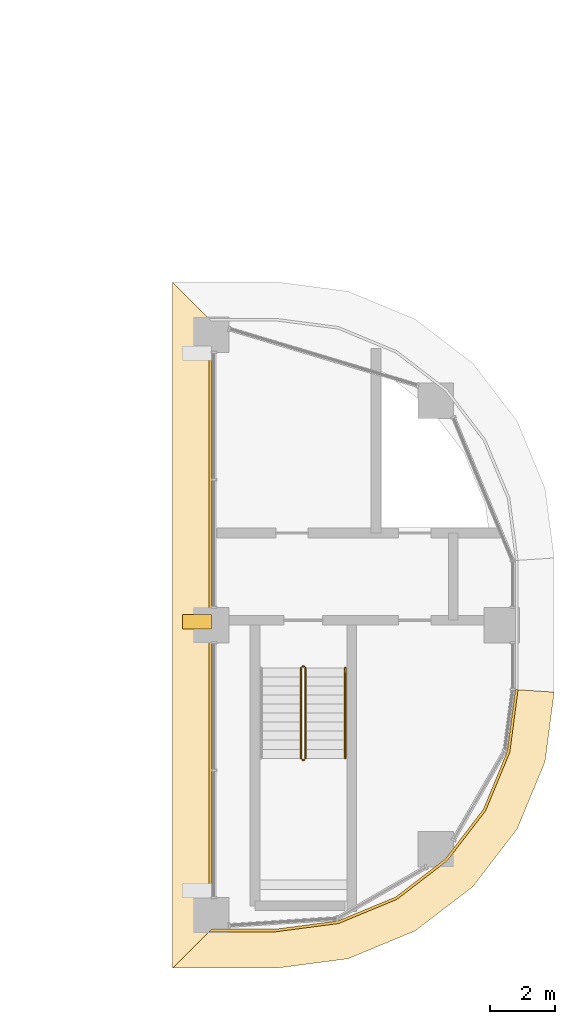
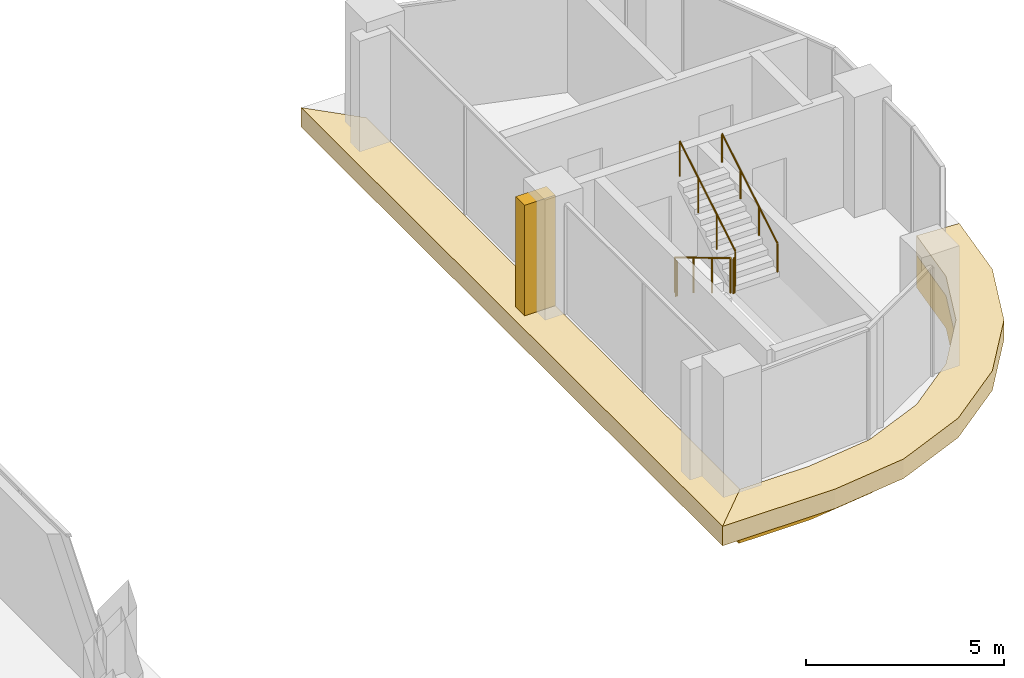
# One storey, part 20 of 24: 5 coverings, 5 railings.
"""IFC4 building model written with IfcOpenShell, lengths in metres."""

import ifcopenshell
import ifcopenshell.guid

model = None  # the IFC model being written
_history = None  # IfcOwnerHistory: only IFC2X3 demands one
_inside = {}  # id of a spatial element -> (the spatial element, [elements in it])
_under = {}  # id of a project, library or spatial element -> (it, [spatial elements below it])
_declared = {}  # id of a project -> (the project, [libraries it declares])
_typed = {}  # id of a type object -> (the type object, [elements of that type])
_made_of = {}  # id of a material, layer set ... -> (it, [elements and type objects made of it])


def new_model(schema):
    """Start an empty IFC model of exactly this schema.

    Asked for "IFC4X3", IfcOpenShell would pick the latest addendum, in which some entities
    have other attributes; the version numbers below select the first issue.
    IFC2X3 requires an IfcOwnerHistory on every rooted entity: one is made here for all.
    """
    global model, _history
    if schema == "IFC4X3":
        model = ifcopenshell.file(schema_version=(4, 3, 0, 0))
    else:
        model = ifcopenshell.file(schema=schema)
    _inside.clear()
    _under.clear()
    _declared.clear()
    _typed.clear()
    _made_of.clear()
    _history = None
    if model.schema == "IFC2X3":
        org = make("IfcOrganization", Name="unknown")
        user = make(
            "IfcPersonAndOrganization",
            ThePerson=make("IfcPerson", FamilyName="unknown"),
            TheOrganization=org,
        )
        app = make(
            "IfcApplication",
            ApplicationDeveloper=org,
            Version="unknown",
            ApplicationFullName="unknown",
            ApplicationIdentifier="unknown",
        )
        _history = make(
            "IfcOwnerHistory",
            OwningUser=user,
            OwningApplication=app,
            ChangeAction="ADDED",
            CreationDate=0,
        )
    return model


def make(cls, **values):
    """One entity of the class cls with the attributes given. An attribute that is None is left unset."""
    return model.create_entity(
        cls, **{name: value for name, value in values.items() if value is not None}
    )


def rooted(cls, **values):
    """An entity with a GlobalId (a new one), such as an element, a storey or a relation."""
    return make(cls, GlobalId=ifcopenshell.guid.new(), OwnerHistory=_history, **values)


def si_unit(unit_type, name, prefix=None):
    """IfcSIUnit, for example si_unit("LENGTHUNIT", "METRE", prefix="MILLI")."""
    return make("IfcSIUnit", UnitType=unit_type, Prefix=prefix, Name=name)


def assignment(units):
    """IfcUnitAssignment: the units of a project."""
    return None if units is None else make("IfcUnitAssignment", Units=units)


def point(xyz):
    """IfcCartesianPoint."""
    return None if xyz is None else make("IfcCartesianPoint", Coordinates=xyz)


def direction(xyz):
    """IfcDirection."""
    return None if xyz is None else make("IfcDirection", DirectionRatios=xyz)


def frame(location, z_axis=None, x_axis=None):
    """IfcAxis2Placement3D, a coordinate frame: its origin and axes. An axis left out is left unset."""
    return make(
        "IfcAxis2Placement3D",
        Location=point(location),
        Axis=direction(z_axis),
        RefDirection=direction(x_axis),
    )


def frame_2d(location, x_axis=None):
    """IfcAxis2Placement2D, a coordinate frame in the plane: its origin and x axis."""
    return make(
        "IfcAxis2Placement2D", Location=point(location), RefDirection=direction(x_axis)
    )


def origin():
    """The frame at (0, 0, 0) with its axes left unset."""
    return frame((0.0, 0.0, 0.0))


def origin_2d():
    """The frame at (0, 0) in the plane with its x axis left unset."""
    return frame_2d((0.0, 0.0))


def place(relative_to, where):
    """IfcLocalPlacement: puts the frame where relative to a parent placement (None: the world)."""
    return make(
        "IfcLocalPlacement", PlacementRelTo=relative_to, RelativePlacement=where
    )


def context(
    kind, dimensions, precision=None, world=None, true_north=None, identifier=None
):
    """IfcGeometricRepresentationContext, for example the 3D "Model" context."""
    return make(
        "IfcGeometricRepresentationContext",
        ContextIdentifier=identifier,
        ContextType=kind,
        CoordinateSpaceDimension=dimensions,
        Precision=precision,
        WorldCoordinateSystem=world,
        TrueNorth=true_north,
    )


def subcontext(parent, identifier, kind, view, scale=None):
    """IfcGeometricRepresentationSubContext, for example "Body" below "Model"."""
    return make(
        "IfcGeometricRepresentationSubContext",
        ContextIdentifier=identifier,
        ContextType=kind,
        ParentContext=parent,
        TargetScale=scale,
        TargetView=view,
    )


def project(units=None, contexts=None):
    """IfcProject with its units and contexts."""
    return rooted(
        "IfcProject",
        Name="project",
        RepresentationContexts=contexts,
        UnitsInContext=assignment(units),
    )


def spatial(cls, under=None, at=None, **own):
    """A site, building, storey or space (cls), placed at a placement, below another one or the project."""
    s = rooted(cls, ObjectPlacement=at, **own)
    if under is not None:
        _under.setdefault(under.id(), (under, []))[1].append(s)
    return s


def polyline(points):
    """IfcPolyline through the points."""
    return make("IfcPolyline", Points=[point(p) for p in points])


def profile(cls, at=None, kind="AREA", **sizes):
    """A parametric profile (cls). Its sizes go by their IFC names, for example OverallWidth=200.0."""
    return make(cls, ProfileType=kind, Position=at, **sizes)


def rectangle(**sizes):
    """IfcRectangleProfileDef."""
    return profile("IfcRectangleProfileDef", **sizes)


def circle(**sizes):
    """IfcCircleProfileDef."""
    return profile("IfcCircleProfileDef", **sizes)


def outline(outer, holes=None, kind="AREA"):
    """IfcArbitraryClosedProfileDef: a profile drawn as a closed curve; with holes, ...WithVoids."""
    if holes is None:
        return make("IfcArbitraryClosedProfileDef", ProfileType=kind, OuterCurve=outer)
    return make(
        "IfcArbitraryProfileDefWithVoids",
        ProfileType=kind,
        OuterCurve=outer,
        InnerCurves=holes,
    )


def extrude(swept, where, along, depth):
    """IfcExtrudedAreaSolid: the profile swept, set in the frame where, extruded along a direction by depth."""
    return make(
        "IfcExtrudedAreaSolid",
        SweptArea=swept,
        Position=where,
        ExtrudedDirection=direction(along),
        Depth=depth,
    )


def shape(context_of_items, identifier, shape_type, items):
    """IfcShapeRepresentation: the items that make up one representation, for example the "Body"."""
    return make(
        "IfcShapeRepresentation",
        ContextOfItems=context_of_items,
        RepresentationIdentifier=identifier,
        RepresentationType=shape_type,
        Items=items,
    )


def material(Name=None, Category=None):
    """IfcMaterial."""
    return make("IfcMaterial", Name=Name, Category=Category)


def layer(
    of_material, thickness, ventilated=None, Name=None, Category=None, Priority=None
):
    """IfcMaterialLayer: one layer of a wall or slab, of a material (None: an air gap)."""
    return make(
        "IfcMaterialLayer",
        Material=of_material,
        LayerThickness=thickness,
        IsVentilated=ventilated,
        Name=Name,
        Category=Category,
        Priority=Priority,
    )


def layer_set(layers, Name=None):
    """IfcMaterialLayerSet."""
    return make("IfcMaterialLayerSet", MaterialLayers=layers, LayerSetName=Name)


def made_of(thing, what):
    """Note that an element or type object is made of a material, layer set ...; save() writes the relation."""
    if what is not None:
        _made_of.setdefault(what.id(), (what, []))[1].append(thing)
    return thing


def type_object(cls, material=None, **own):
    """A type object (cls), such as IfcWallType, which elements share."""
    return made_of(rooted(cls, **own), material)


def element(
    cls,
    number,
    at=None,
    inside=None,
    cuts=None,
    type_object=None,
    material=None,
    context=None,
    identifier="Body",
    shape_type=None,
    held_by="IfcProductDefinitionShape",
    body=None,
    shapes=None,
    **own,
):
    """One element of the class cls, such as IfcWall. Its Tag is "e" and its number.

    at: its placement. inside: the storey or other place that contains it. cuts: it is an
    opening in that element (IfcRelVoidsElement). A single representation is given by context,
    identifier, shape_type and body (its items); several are given by shapes. held_by: the class
    of the entity that holds the representations. save() writes the other relations.
    """
    e = rooted(cls, Tag="e%d" % number, ObjectPlacement=at, **own)
    if body is not None:
        shapes = [shape(context, identifier, shape_type, body)]
    if shapes is not None:
        e.Representation = make(held_by, Representations=shapes)
    if inside is not None:
        _inside.setdefault(inside.id(), (inside, []))[1].append(e)
    if cuts is not None:
        rooted(
            "IfcRelVoidsElement", RelatingBuildingElement=cuts, RelatedOpeningElement=e
        )
    if type_object is not None:
        _typed.setdefault(type_object.id(), (type_object, []))[1].append(e)
    return made_of(e, material)


def aggregate(whole, parts):
    """IfcRelAggregates: a whole, such as a stair, and the parts it consists of."""
    return rooted("IfcRelAggregates", RelatingObject=whole, RelatedObjects=parts)


def save(model, path):
    """Write the relations noted so far, then the file.

    IfcRelAggregates (storeys below a building ...), IfcRelContainedInSpatialStructure (elements
    in a storey), IfcRelDefinesByType, IfcRelAssociatesMaterial and IfcRelDeclares: one each for
    every whole, place, type object, material and project.
    """
    for whole, parts in _under.values():
        aggregate(whole, parts)
    for where, things in _inside.values():
        rooted(
            "IfcRelContainedInSpatialStructure",
            RelatedElements=things,
            RelatingStructure=where,
        )
    for kind, things in _typed.values():
        rooted("IfcRelDefinesByType", RelatedObjects=things, RelatingType=kind)
    for what, things in _made_of.values():
        rooted("IfcRelAssociatesMaterial", RelatedObjects=things, RelatingMaterial=what)
    for by, libraries in _declared.values():
        rooted("IfcRelDeclares", RelatingContext=by, RelatedDefinitions=libraries)
    model.write(path)


model = new_model("IFC4")

# Units and contexts
model_context = context("Model", 3, precision=1e-05, world=origin(), true_north=direction((0.0, 1.0)))
body_context = subcontext(model_context, "Body", "Model", "MODEL_VIEW")
ifc_project = project(units=[si_unit("LENGTHUNIT", "METRE"), si_unit("AREAUNIT", "SQUARE_METRE"), si_unit("VOLUMEUNIT", "CUBIC_METRE"), si_unit("PLANEANGLEUNIT", "RADIAN"), si_unit("MASSUNIT", "GRAM", prefix="KILO")], contexts=[model_context])

# Site, building, storey
site_placement = place(None, origin())
site = spatial("IfcSite", under=ifc_project, at=site_placement, CompositionType="ELEMENT")
building_placement = place(site_placement, origin())
building = spatial("IfcBuilding", under=site, at=building_placement, Name="Ogive Portal Towers", CompositionType="ELEMENT")
storey_placement = place(building_placement, frame((0.0, 0.0, 153.300048828125)))
storey = spatial("IfcBuildingStorey", under=building, at=storey_placement, Name="L37", CompositionType="ELEMENT", Elevation=153.300048828125)

# Covering
ifc_material_1 = material(Name="Limestone cladding on lightweight block wall", Category="masonry")
ifc_layer_1 = layer(ifc_material_1, 0.449951171875)
ifc_layer_set_1 = layer_set([ifc_layer_1], Name="BUTTRESS PIER STONE")
covering_type_1 = type_object("IfcCoveringType", Name="BUTTRESS PIER STONE", PredefinedType="CLADDING", material=ifc_layer_set_1)
covering_1_placement = place(storey_placement, frame((85.050048828125, 30.607421875, 0.0), z_axis=(0.0, 0.0, 1.0), x_axis=(1.0, 0.0, 0.0)))
element("IfcCovering", 1, at=covering_1_placement, inside=storey, type_object=covering_type_1, Name="Buttress pier A2-F01.1", PredefinedType="CLADDING", context=body_context, shape_type="SweptSolid", body=[
    extrude(rectangle(XDim=0.89990234375, YDim=0.449951171875, at=origin_2d()), origin(), (0.0, 0.0, 1.0), 3.39990234375),
])

# Railings
ifc_material_2 = material(Name="Stainless steel balustrade", Category="steel")
railing_type_1 = type_object("IfcRailingType", Name="INT-GUARD", PredefinedType="GUARDRAIL", material=ifc_material_2)
railing_1_placement = place(storey_placement, frame((88.280029296875, 29.169921875, 0.168212890625)))
element("IfcRailing", 2, at=railing_1_placement, inside=storey, type_object=railing_type_1, Name="L37 ST-A4 stair guard 1", PredefinedType="GUARDRAIL", context=body_context, shape_type="SweptSolid", body=[
    extrude(circle(Radius=0.02392578125, at=origin_2d()), frame((0.0, 0.0, 1.076171875), z_axis=(0.0, -0.857255387014, 0.514891446264), x_axis=(1.0, 0.0, 0.0)), (0.0, 0.0, 1.0), 3.26611328125),
    extrude(circle(Radius=0.02099609375, at=origin_2d()), origin(), (0.0, 0.0, 1.0), 1.052001953125),
    extrude(circle(Radius=0.02099609375, at=origin_2d()), frame((0.0, -0.933349609375, 0.560546875)), (0.0, 0.0, 1.0), 1.052001953125),
    extrude(circle(Radius=0.02099609375, at=origin_2d()), frame((0.0, -1.866455078125, 1.12109375)), (0.0, 0.0, 1.0), 1.052001953125),
    extrude(circle(Radius=0.02099609375, at=origin_2d()), frame((0.0, -2.7998046875, 1.681640625)), (0.0, 0.0, 1.0), 1.052001953125),
])
railing_2_placement = place(storey_placement, frame((88.330078125, 26.320068359375, 1.849853515625)))
element("IfcRailing", 3, at=railing_2_placement, inside=storey, type_object=railing_type_1, Name="L37 ST-A4 stair guard 2", PredefinedType="GUARDRAIL", context=body_context, shape_type="SweptSolid", body=[
    extrude(circle(Radius=0.02392578125, at=origin_2d()), frame((0.0, 0.0, 1.076171875), z_axis=(1.0, 0.0, 0.0), x_axis=(0.0, 1.0, 0.0)), (0.0, 0.0, 1.0), 0.0400390625),
    extrude(circle(Radius=0.02099609375, at=origin_2d()), origin(), (0.0, 0.0, 1.0), 1.052001953125),
    extrude(circle(Radius=0.02099609375, at=origin_2d()), frame((0.0400390625, 0.0, 0.0)), (0.0, 0.0, 1.0), 1.052001953125),
])
railing_3_placement = place(storey_placement, frame((88.419921875, 26.3701171875, 2.01806640625)))
element("IfcRailing", 4, at=railing_3_placement, inside=storey, type_object=railing_type_1, Name="L37 ST-A4 stair guard 3", PredefinedType="GUARDRAIL", context=body_context, shape_type="SweptSolid", body=[
    extrude(circle(Radius=0.02392578125, at=origin_2d()), frame((0.0, 0.0, 1.076171875), z_axis=(0.0, 0.857222391501, 0.514946377315), x_axis=(-1.0, 0.0, 0.0)), (0.0, 0.0, 1.0), 3.26611328125),
    extrude(circle(Radius=0.02099609375, at=origin_2d()), origin(), (0.0, 0.0, 1.0), 1.052001953125),
    extrude(circle(Radius=0.02099609375, at=origin_2d()), frame((0.0, 0.933349609375, 0.560546875)), (0.0, 0.0, 1.0), 1.052001953125),
    extrude(circle(Radius=0.02099609375, at=origin_2d()), frame((0.0, 1.866455078125, 1.121337890625)), (0.0, 0.0, 1.0), 1.052001953125),
    extrude(circle(Radius=0.02099609375, at=origin_2d()), frame((0.0, 2.7998046875, 1.681884765625)), (0.0, 0.0, 1.0), 1.052001953125),
])
railing_4_placement = place(storey_placement, frame((88.330078125, 29.219970703125, 0.0)))
element("IfcRailing", 5, at=railing_4_placement, inside=storey, type_object=railing_type_1, Name="L37 ST-A4 stair guard 4", PredefinedType="GUARDRAIL", context=body_context, shape_type="SweptSolid", body=[
    extrude(circle(Radius=0.02392578125, at=origin_2d()), frame((0.0, 0.0, 1.076171875), z_axis=(1.0, 0.0, 0.0), x_axis=(0.0, 1.0, 0.0)), (0.0, 0.0, 1.0), 0.0400390625),
    extrude(circle(Radius=0.02099609375, at=origin_2d()), origin(), (0.0, 0.0, 1.0), 1.052001953125),
    extrude(circle(Radius=0.02099609375, at=origin_2d()), frame((0.0400390625, 0.0, 0.0)), (0.0, 0.0, 1.0), 1.052001953125),
])
ifc_material_3 = material(Name="Stainless steel handrail", Category="steel")
railing_type_2 = type_object("IfcRailingType", Name="INT-HANDRAIL", PredefinedType="HANDRAIL", material=ifc_material_3)
railing_5_placement = place(storey_placement, frame((89.64990234375, 26.3701171875, 2.01806640625)))
element("IfcRailing", 6, at=railing_5_placement, inside=storey, type_object=railing_type_2, Name="L37 ST-A4 stair handrail 2", PredefinedType="HANDRAIL", context=body_context, shape_type="SweptSolid", body=[
    extrude(circle(Radius=0.02392578125, at=origin_2d()), frame((0.0, 0.0, 0.8759765625), z_axis=(0.0, 0.857222391501, 0.514946377315), x_axis=(-1.0, 0.0, 0.0)), (0.0, 0.0, 1.0), 3.26611328125),
    extrude(circle(Radius=0.02099609375, at=origin_2d()), origin(), (0.0, 0.0, 1.0), 0.851806640625),
    extrude(circle(Radius=0.02099609375, at=origin_2d()), frame((0.0, 0.933349609375, 0.560546875)), (0.0, 0.0, 1.0), 0.851806640625),
    extrude(circle(Radius=0.02099609375, at=origin_2d()), frame((0.0, 1.866455078125, 1.121337890625)), (0.0, 0.0, 1.0), 0.851806640625),
    extrude(circle(Radius=0.02099609375, at=origin_2d()), frame((0.0, 2.7998046875, 1.681884765625)), (0.0, 0.0, 1.0), 0.851806640625),
])

# Coverings
ifc_layer_2 = layer(ifc_material_1, 0.080078125)
ifc_layer_set_2 = layer_set([ifc_layer_2], Name="STONE SPANDREL 80")
covering_type_2 = type_object("IfcCoveringType", Name="STONE SPANDREL 80", PredefinedType="CLADDING", material=ifc_layer_set_2)
covering_2_placement = place(storey_placement, frame((0.0, 0.0, -1.60009765625)))
element("IfcCovering", 7, at=covering_2_placement, inside=storey, type_object=covering_type_2, Name="Stone spandrel A2-F01", PredefinedType="CLADDING", context=body_context, shape_type="SweptSolid", body=[
    extrude(outline(polyline([(85.5, 39.925048828125), (85.5, 21.074951171875), (85.419921875, 20.9951171875), (85.419921875, 40.0048828125), (85.5, 39.925048828125)])), origin(), (0.0, 0.0, 1.0), 1.0),
])
covering_3_placement = place(storey_placement, frame((0.0, 0.0, -1.60009765625)))
element("IfcCovering", 8, at=covering_3_placement, inside=storey, type_object=covering_type_2, Name="Stone spandrel A2-F02", PredefinedType="CLADDING", context=body_context, shape_type="SweptSolid", body=[
    extrude(outline(polyline([(85.5, 21.074951171875), (87.5, 21.074951171875), (89.421630859375, 21.327880859375), (91.21240234375, 22.06982421875), (92.750244140625, 23.249755859375), (93.93017578125, 24.78759765625), (94.672119140625, 26.578369140625), (94.925048828125, 28.5), (95.0048828125, 28.494873046875), (94.75, 26.557373046875), (94.0, 24.7470703125), (92.807373046875, 23.192626953125), (91.2529296875, 22.0), (89.442626953125, 21.25), (87.505126953125, 20.9951171875), (85.419921875, 20.9951171875), (85.5, 21.074951171875)])), origin(), (0.0, 0.0, 1.0), 1.0),
])
ifc_layer_3 = layer(ifc_material_1, 0.60009765625)
ifc_layer_set_3 = layer_set([ifc_layer_3], Name="SUNSHADE LIP 600")
covering_type_3 = type_object("IfcCoveringType", Name="SUNSHADE LIP 600", PredefinedType="CLADDING", material=ifc_layer_set_3)
covering_4_placement = place(storey_placement, frame((0.0, 0.0, -0.60009765625)))
element("IfcCovering", 9, at=covering_4_placement, inside=storey, type_object=covering_type_3, Name="Sunshade lip A2-F01", PredefinedType="CLADDING", context=body_context, shape_type="SweptSolid", body=[
    extrude(outline(polyline([(85.5, 39.925048828125), (85.5, 21.074951171875), (84.300048828125, 19.875), (84.300048828125, 41.125), (85.5, 39.925048828125)])), origin(), (0.0, 0.0, 1.0), 0.60009765625),
])
covering_5_placement = place(storey_placement, frame((0.0, 0.0, -0.60009765625)))
element("IfcCovering", 10, at=covering_5_placement, inside=storey, type_object=covering_type_3, Name="Sunshade lip A2-F02", PredefinedType="CLADDING", context=body_context, shape_type="SweptSolid", body=[
    extrude(outline(polyline([(85.5, 21.074951171875), (87.5, 21.074951171875), (89.421630859375, 21.327880859375), (91.21240234375, 22.06982421875), (92.750244140625, 23.249755859375), (93.93017578125, 24.78759765625), (94.672119140625, 26.578369140625), (94.925048828125, 28.5), (96.125, 28.42138671875), (95.841064453125, 26.264892578125), (94.978515625, 24.182373046875), (93.606201171875, 22.393798828125), (91.817626953125, 21.021484375), (89.735107421875, 20.158935546875), (87.57861328125, 19.875), (84.300048828125, 19.875), (85.5, 21.074951171875)])), origin(), (0.0, 0.0, 1.0), 0.60009765625),
])

save(model, "model.ifc")
